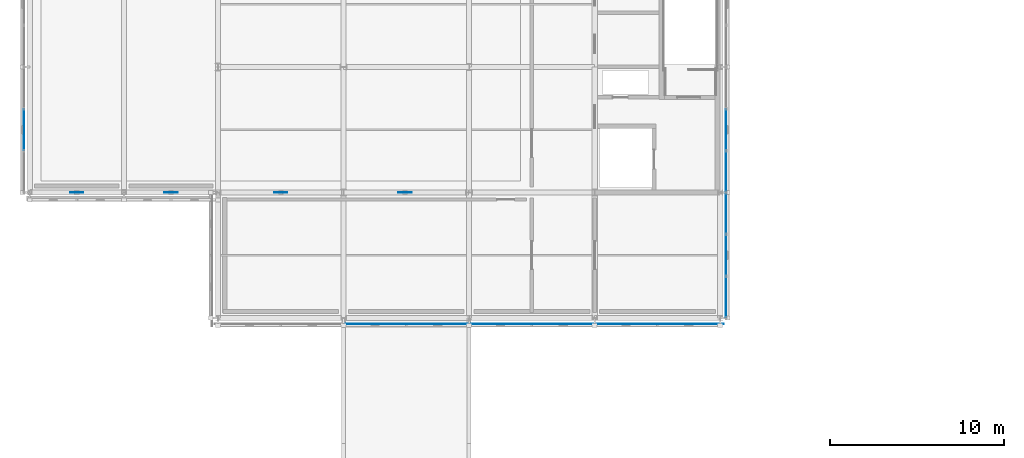
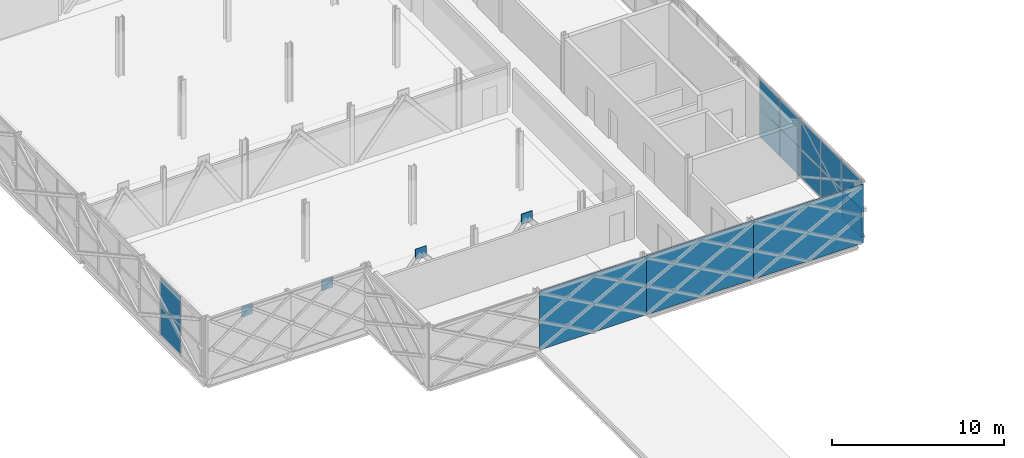
# One storey, part 66 of 103: 19 plates, 3 elements without a shape of their own.
"""IFC4 building model written with IfcOpenShell, lengths in metres."""

from ifc_helpers import new_model, si_unit, direction, frame, origin, origin_2d, place, context, subcontext, project, spatial, rectangle, extrude, material, layer, layer_set, type_object, element, aggregate, save


model = new_model("IFC4")

# Units and contexts
model_context = context("Model", 3, precision=1e-05, world=origin(), true_north=direction((0.0, 1.0)))
body_context = subcontext(model_context, "Body", "Model", "MODEL_VIEW")
ifc_project = project(units=[si_unit("LENGTHUNIT", "METRE"), si_unit("AREAUNIT", "SQUARE_METRE"), si_unit("VOLUMEUNIT", "CUBIC_METRE"), si_unit("PLANEANGLEUNIT", "RADIAN"), si_unit("MASSUNIT", "GRAM", prefix="KILO")], contexts=[model_context])

# Site, building, storey
site_placement = place(None, origin())
site = spatial("IfcSite", under=ifc_project, at=site_placement, CompositionType="ELEMENT")
building_placement = place(site_placement, origin())
building = spatial("IfcBuilding", under=site, at=building_placement, Name="Zlatovets Crest Museum", CompositionType="ELEMENT")
storey_placement = place(building_placement, frame((0.0, 0.0, 12.89990234375)))
storey = spatial("IfcBuildingStorey", under=building, at=storey_placement, Name="L03", CompositionType="ELEMENT", Elevation=12.89990234375)

# Curtain wall, plates
ifc_material_1 = material(Name="Bronze-anodised aluminium and low-E triple glass", Category="aluminium")
curtain_wall_type_1 = type_object("IfcCurtainWallType", Name="CW_CW-V4-L03-M0", PredefinedType="NOTDEFINED", material=ifc_material_1)
curtain_wall_1_placement = place(storey_placement, origin())
curtain_wall_1 = element("IfcCurtainWall", 1, at=curtain_wall_1_placement, inside=storey, type_object=curtain_wall_type_1, Name="V4 L03 Secession Foyer Clear Curtain Wall", PredefinedType="NOTDEFINED")
ifc_material_2 = material(Name="Solar-control low-E laminated triple glass", Category="glass")
ifc_layer_1 = layer(ifc_material_2, 0.028076171875)
ifc_layer_set_1 = layer_set([ifc_layer_1], Name="Solar-control low-E laminated triple glass")
plate_type_1 = type_object("IfcPlateType", Name="CWPanel_CW-V4-L03-M0", PredefinedType="CURTAIN_PANEL", material=ifc_layer_set_1)
plate_1_placement = place(storey_placement, frame((36.340087890625, 51.614990234375, 0.06005859375), z_axis=(0.0, 0.0, 1.0), x_axis=(0.0, 1.0, 0.0)))
plate_1 = element("IfcPlate", 2, at=plate_1_placement, type_object=plate_type_1, Name="CW-V4-L03-M0 panel 1.1", PredefinedType="CURTAIN_PANEL", context=body_context, shape_type="SweptSolid", body=[
    extrude(rectangle(XDim=2.31005859375, YDim=0.028076171875, at=origin_2d()), origin(), (0.0, 0.0, 1.0), 2.010009765625),
])
plate_2_placement = place(storey_placement, frame((36.340087890625, 51.614990234375, 2.1298828125), z_axis=(0.0, 0.0, 1.0), x_axis=(0.0, 1.0, 0.0)))
plate_2 = element("IfcPlate", 3, at=plate_2_placement, type_object=plate_type_1, Name="CW-V4-L03-M0 panel 1.2", PredefinedType="CURTAIN_PANEL", context=body_context, shape_type="SweptSolid", body=[
    extrude(rectangle(XDim=2.31005859375, YDim=0.028076171875, at=origin_2d()), origin(), (0.0, 0.0, 1.0), 2.010009765625),
])
plate_3_placement = place(storey_placement, frame((36.340087890625, 54.0, 0.06005859375), z_axis=(0.0, 0.0, 1.0), x_axis=(0.0, 1.0, 0.0)))
plate_3 = element("IfcPlate", 4, at=plate_3_placement, type_object=plate_type_1, Name="CW-V4-L03-M0 panel 2.1", PredefinedType="CURTAIN_PANEL", context=body_context, shape_type="SweptSolid", body=[
    extrude(rectangle(XDim=2.340087890625, YDim=0.028076171875, at=origin_2d()), origin(), (0.0, 0.0, 1.0), 2.010009765625),
])
plate_4_placement = place(storey_placement, frame((36.340087890625, 54.0, 2.1298828125), z_axis=(0.0, 0.0, 1.0), x_axis=(0.0, 1.0, 0.0)))
plate_4 = element("IfcPlate", 5, at=plate_4_placement, type_object=plate_type_1, Name="CW-V4-L03-M0 panel 2.2", PredefinedType="CURTAIN_PANEL", context=body_context, shape_type="SweptSolid", body=[
    extrude(rectangle(XDim=2.340087890625, YDim=0.028076171875, at=origin_2d()), origin(), (0.0, 0.0, 1.0), 2.010009765625),
])
plate_5_placement = place(storey_placement, frame((36.340087890625, 56.385009765625, 0.06005859375), z_axis=(0.0, 0.0, 1.0), x_axis=(0.0, 1.0, 0.0)))
plate_5 = element("IfcPlate", 6, at=plate_5_placement, type_object=plate_type_1, Name="CW-V4-L03-M0 panel 3.1", PredefinedType="CURTAIN_PANEL", context=body_context, shape_type="SweptSolid", body=[
    extrude(rectangle(XDim=2.31005859375, YDim=0.028076171875, at=origin_2d()), origin(), (0.0, 0.0, 1.0), 2.010009765625),
])
plate_6_placement = place(storey_placement, frame((36.340087890625, 56.385009765625, 2.1298828125), z_axis=(0.0, 0.0, 1.0), x_axis=(0.0, 1.0, 0.0)))
plate_6 = element("IfcPlate", 7, at=plate_6_placement, type_object=plate_type_1, Name="CW-V4-L03-M0 panel 3.2", PredefinedType="CURTAIN_PANEL", context=body_context, shape_type="SweptSolid", body=[
    extrude(rectangle(XDim=2.31005859375, YDim=0.028076171875, at=origin_2d()), origin(), (0.0, 0.0, 1.0), 2.010009765625),
])
aggregate(curtain_wall_1, [plate_1, plate_2, plate_3, plate_4, plate_5, plate_6])

curtain_wall_type_2 = type_object("IfcCurtainWallType", Name="CW_CW-V4-L03-M1", PredefinedType="NOTDEFINED", material=ifc_material_1)
curtain_wall_2_placement = place(storey_placement, origin())
curtain_wall_2 = element("IfcCurtainWall", 8, at=curtain_wall_2_placement, inside=storey, type_object=curtain_wall_type_2, Name="V4 L03 Expressed Core Glazed Facade", PredefinedType="NOTDEFINED")
ifc_layer_2 = layer(ifc_material_2, 0.030029296875)
ifc_layer_set_2 = layer_set([ifc_layer_2], Name="Solar-control low-E laminated triple glass")
plate_type_2 = type_object("IfcPlateType", Name="CWPanel_CW-V4-L03-M1", PredefinedType="CURTAIN_PANEL", material=ifc_layer_set_2)
plate_7_placement = place(storey_placement, frame((36.340087890625, 58.81494140625, 0.06005859375), z_axis=(0.0, 0.0, 1.0), x_axis=(0.0, 1.0, 0.0)))
plate_7 = element("IfcPlate", 9, at=plate_7_placement, type_object=plate_type_2, Name="CW-V4-L03-M1 panel 1.1", PredefinedType="CURTAIN_PANEL", context=body_context, shape_type="SweptSolid", body=[
    extrude(rectangle(XDim=2.31005859375, YDim=0.030029296875, at=origin_2d()), origin(), (0.0, 0.0, 1.0), 2.010009765625),
])
plate_8_placement = place(storey_placement, frame((36.340087890625, 58.81494140625, 2.1298828125), z_axis=(0.0, 0.0, 1.0), x_axis=(0.0, 1.0, 0.0)))
plate_8 = element("IfcPlate", 10, at=plate_8_placement, type_object=plate_type_2, Name="CW-V4-L03-M1 panel 1.2", PredefinedType="CURTAIN_PANEL", context=body_context, shape_type="SweptSolid", body=[
    extrude(rectangle(XDim=2.31005859375, YDim=0.030029296875, at=origin_2d()), origin(), (0.0, 0.0, 1.0), 2.010009765625),
])
plate_9_placement = place(storey_placement, frame((36.340087890625, 61.199951171875, 0.06005859375), z_axis=(0.0, 0.0, 1.0), x_axis=(0.0, 1.0, 0.0)))
plate_9 = element("IfcPlate", 11, at=plate_9_placement, type_object=plate_type_2, Name="CW-V4-L03-M1 panel 2.1", PredefinedType="CURTAIN_PANEL", context=body_context, shape_type="SweptSolid", body=[
    extrude(rectangle(XDim=2.340087890625, YDim=0.030029296875, at=origin_2d()), origin(), (0.0, 0.0, 1.0), 2.010009765625),
])
plate_10_placement = place(storey_placement, frame((36.340087890625, 61.199951171875, 2.1298828125), z_axis=(0.0, 0.0, 1.0), x_axis=(0.0, 1.0, 0.0)))
plate_10 = element("IfcPlate", 12, at=plate_10_placement, type_object=plate_type_2, Name="CW-V4-L03-M1 panel 2.2", PredefinedType="CURTAIN_PANEL", context=body_context, shape_type="SweptSolid", body=[
    extrude(rectangle(XDim=2.340087890625, YDim=0.030029296875, at=origin_2d()), origin(), (0.0, 0.0, 1.0), 2.010009765625),
])
aggregate(curtain_wall_2, [plate_7, plate_8, plate_9, plate_10])

curtain_wall_type_3 = type_object("IfcCurtainWallType", Name="CW_CW-V4-L03-M2", PredefinedType="NOTDEFINED", material=ifc_material_1)
curtain_wall_3_placement = place(storey_placement, origin())
curtain_wall_3 = element("IfcCurtainWall", 13, at=curtain_wall_3_placement, inside=storey, type_object=curtain_wall_type_3, Name="V4 L03 Secession Foyer Clear Curtain Wall", PredefinedType="NOTDEFINED")
ifc_layer_3 = layer(ifc_material_2, 0.030029296875)
ifc_layer_set_3 = layer_set([ifc_layer_3], Name="Solar-control low-E laminated triple glass")
plate_type_3 = type_object("IfcPlateType", Name="CWPanel_CW-V4-L03-M2", PredefinedType="CURTAIN_PANEL", material=ifc_layer_set_3)
plate_11_placement = place(storey_placement, frame((-3.93994140625, 61.199951171875, 0.06005859375), z_axis=(0.0, 0.0, 1.0), x_axis=(0.0, -1.0, 0.0)))
plate_11 = element("IfcPlate", 14, at=plate_11_placement, type_object=plate_type_3, Name="CW-V4-L03-M2 panel 2.1", PredefinedType="CURTAIN_PANEL", context=body_context, shape_type="SweptSolid", body=[
    extrude(rectangle(XDim=2.340087890625, YDim=0.035888671875, at=origin_2d()), origin(), (0.0, 0.0, 1.0), 2.010009765625),
])
plate_12_placement = place(storey_placement, frame((-3.93994140625, 61.199951171875, 2.1298828125), z_axis=(0.0, 0.0, 1.0), x_axis=(0.0, -1.0, 0.0)))
plate_12 = element("IfcPlate", 15, at=plate_12_placement, type_object=plate_type_3, Name="CW-V4-L03-M2 panel 2.2", PredefinedType="CURTAIN_PANEL", context=body_context, shape_type="SweptSolid", body=[
    extrude(rectangle(XDim=2.340087890625, YDim=0.035888671875, at=origin_2d()), origin(), (0.0, 0.0, 1.0), 2.010009765625),
])
aggregate(curtain_wall_3, [plate_11, plate_12])

# Plates
ifc_material_3 = material(Name="Ceramic-fritted low-E laminated architectural glass", Category="glass")
ifc_layer_4 = layer(ifc_material_3, 0.031982421875)
ifc_layer_set_4 = layer_set([ifc_layer_4], Name="Ceramic-fritted low-E laminated architectural glass")
plate_type_4 = type_object("IfcPlateType", Name="GlazedSpandrel_GSP1", PredefinedType="USERDEFINED", material=ifc_layer_set_4)
for number, where, z_axis, x_axis, name in (
    (16, (18.0, 50.06005859375, 0.0), (0.0, 0.0, 1.0), (1.0, 0.0, 0.0), "V4 L03 Ceramic-Fritted Gallery Glass Skin"),
    (17, (25.199951171875, 50.06005859375, 0.0), (0.0, 0.0, 1.0), (1.0, 0.0, 0.0), "V4 L03 Ceramic-Fritted Gallery Glass Skin"),
):
    element("IfcPlate", number, at=place(storey_placement, frame(where, z_axis=z_axis, x_axis=x_axis)), inside=storey, type_object=plate_type_4, Name=name, ObjectType="GLAZED_SPANDREL", PredefinedType="USERDEFINED", context=body_context, shape_type="SweptSolid", body=[
        extrude(rectangle(XDim=7.199951171875, YDim=0.031982421875, at=origin_2d()), origin(), (0.0, 0.0, 1.0), 4.199951171875),
    ])
plate_13_placement = place(storey_placement, frame((32.5, 50.06005859375, 0.0), z_axis=(0.0, 0.0, 1.0), x_axis=(1.0, 0.0, 0.0)))
element("IfcPlate", 18, at=plate_13_placement, inside=storey, type_object=plate_type_4, Name="V4 L03 Ceramic-Fritted Gallery Glass Skin", ObjectType="GLAZED_SPANDREL", PredefinedType="USERDEFINED", context=body_context, shape_type="SweptSolid", body=[
    extrude(rectangle(XDim=7.39990234375, YDim=0.031982421875, at=origin_2d()), origin(), (0.0, 0.0, 1.0), 4.199951171875),
])
ifc_material_4 = material(Name="Structural steel S355J2", Category="steel")
ifc_layer_5 = layer(ifc_material_4, 0.034912109375)
ifc_layer_set_5 = layer_set([ifc_layer_5], Name="Structural steel S355J2")
plate_type_5 = type_object("IfcPlateType", Name="Gusset_GP-03", PredefinedType="USERDEFINED", material=ifc_layer_set_5)
for number, where, z_axis, x_axis, name in (
    (19, (-0.89990234375, 57.60009765625, 3.255126953125), (0.0, 0.0, 1.0), (1.0, 0.0, 0.0), "Transfer Truss Node Gusset Plate GP-03"),
    (20, (4.5, 57.60009765625, 3.255126953125), (0.0, 0.0, 1.0), (1.0, 0.0, 0.0), "Transfer Truss Node Gusset Plate GP-03"),
    (21, (10.800048828125, 57.60009765625, 3.255126953125), (0.0, 0.0, 1.0), (1.0, 0.0, 0.0), "Transfer Truss Node Gusset Plate GP-03"),
    (22, (17.919921875, 57.60009765625, 3.255126953125), (0.0, 0.0, 1.0), (1.0, 0.0, 0.0), "Transfer Truss Node Gusset Plate GP-03"),
):
    element("IfcPlate", number, at=place(storey_placement, frame(where, z_axis=z_axis, x_axis=x_axis)), inside=storey, type_object=plate_type_5, Name=name, ObjectType="GUSSET", PredefinedType="USERDEFINED", context=body_context, shape_type="SweptSolid", body=[
        extrude(rectangle(XDim=0.75, YDim=0.034912109375, at=origin_2d()), origin(), (0.0, 0.0, 1.0), 0.75),
    ])

save(model, "model.ifc")
